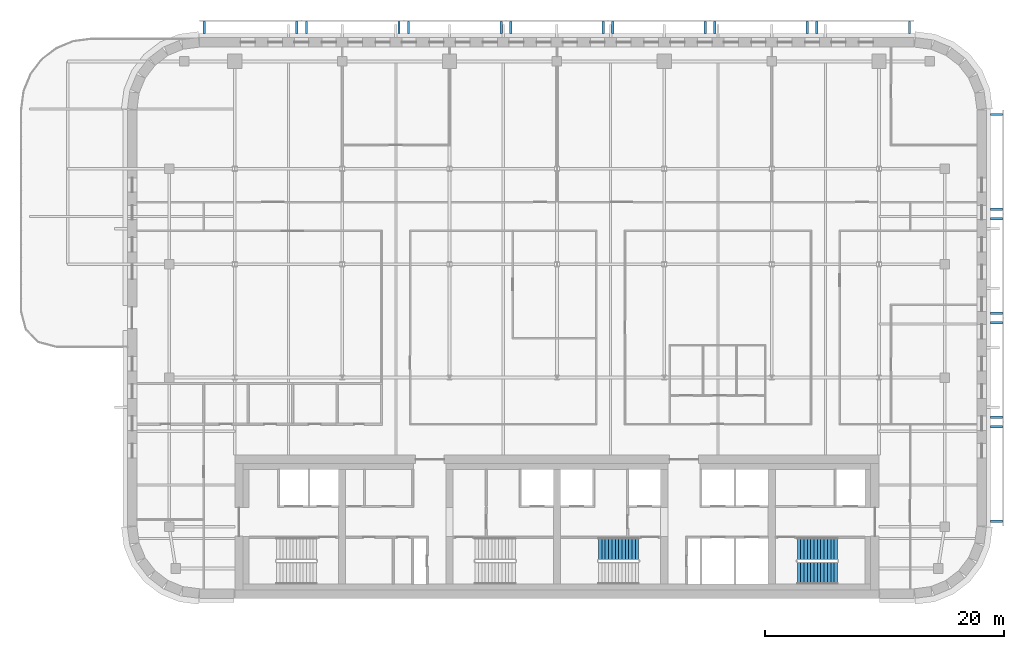
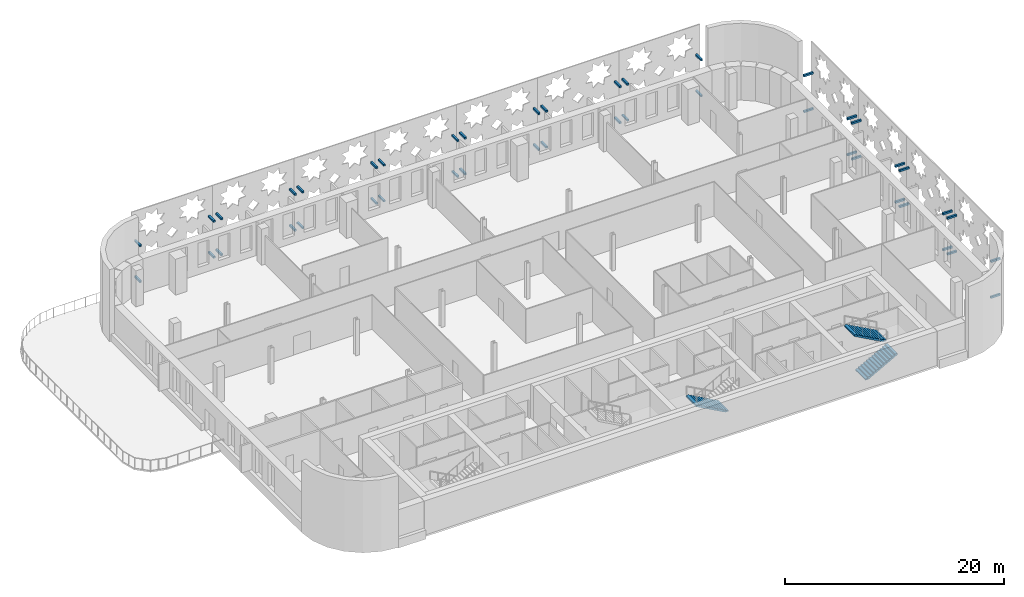
# One storey, part 12 of 17: 44 discrete accessories, 3 stair flights, 2 elements without a shape of their own.
"""IFC4 building model written with IfcOpenShell, lengths in metres."""

from ifc_helpers import new_model, si_unit, direction, frame, origin, origin_2d, place, context, subcontext, project, spatial, polyline, rectangle, outline, extrude, material, type_object, element, aggregate, save


model = new_model("IFC4")

# Units and contexts
model_context = context("Model", 3, precision=1e-05, world=origin(), true_north=direction((0.0, 1.0)))
body_context = subcontext(model_context, "Body", "Model", "MODEL_VIEW")
ifc_project = project(units=[si_unit("LENGTHUNIT", "METRE"), si_unit("AREAUNIT", "SQUARE_METRE"), si_unit("VOLUMEUNIT", "CUBIC_METRE"), si_unit("PLANEANGLEUNIT", "RADIAN"), si_unit("MASSUNIT", "GRAM", prefix="KILO")], contexts=[model_context])

# Site, building, storey
site_placement = place(None, origin())
site = spatial("IfcSite", under=ifc_project, at=site_placement, CompositionType="ELEMENT")
building_placement = place(site_placement, origin())
building = spatial("IfcBuilding", under=site, at=building_placement, Name="Zellij Exchange Tower", CompositionType="ELEMENT")
storey_placement = place(building_placement, frame((0.0, 0.0, 256.5)))
storey = spatial("IfcBuildingStorey", under=building, at=storey_placement, Name="L60", CompositionType="ELEMENT", Elevation=256.5)

# Stair, stair flight
ifc_material_1 = material(Name="Concrete C40/50", Category="concrete")
stair_type = type_object("IfcStairType", Name="CORE-ST exit stair 1850 wide", PredefinedType="HALF_TURN_STAIR", material=ifc_material_1)
stair_1_placement = place(storey_placement, origin())
stair_1 = element("IfcStair", 1, at=stair_1_placement, inside=storey, type_object=stair_type, Name="L60 exit stair ST3", PredefinedType="HALF_TURN_STAIR")
stair_flight_type = type_object("IfcStairFlightType", Name="CORE-SF flight 1850 riser 153.8 going 280", PredefinedType="STRAIGHT", material=ifc_material_1)
stair_flight_1_placement = place(storey_placement, frame((6.85009765625, -9.875, 0.0), z_axis=(0.0, 0.0, 1.0), x_axis=(-1.0, 0.0, 0.0)))
stair_flight_1 = element("IfcStairFlight", 2, at=stair_flight_1_placement, type_object=stair_flight_type, Name="ST3 flight 1", NumberOfRisers=13, NumberOfTreads=12, PredefinedType="STRAIGHT", RiserHeight=0.153846154, TreadLength=0.28, context=body_context, shape_type="SweptSolid", body=[
    extrude(outline(polyline([(0.0, 0.0), (0.0, 0.15380859375), (0.280029296875, 0.15380859375), (0.280029296875, 0.3076171875), (0.56005859375, 0.3076171875), (0.56005859375, 0.46142578125), (0.840087890625, 0.46142578125), (0.840087890625, 0.615478515625), (1.1201171875, 0.615478515625), (1.1201171875, 0.769287109375), (1.39990234375, 0.769287109375), (1.39990234375, 0.923095703125), (1.679931640625, 0.923095703125), (1.679931640625, 1.076904296875), (1.9599609375, 1.076904296875), (1.9599609375, 1.230712890625), (2.239990234375, 1.230712890625), (2.239990234375, 1.384521484375), (2.52001953125, 1.384521484375), (2.52001953125, 1.53857421875), (2.800048828125, 1.53857421875), (2.800048828125, 1.6923828125), (3.080078125, 1.6923828125), (3.080078125, 1.84619140625), (3.360107421875, 1.84619140625), (3.360107421875, 2.0), (3.360107421875, 1.675048828125), (0.311279296875, 0.0), (0.0, 0.0)])), frame((0.0, 0.925048828125, 0.0), z_axis=(0.0, -1.0, 0.0), x_axis=(1.0, 0.0, 0.0)), (0.0, 0.0, 1.0), 1.85009765625),
])
aggregate(stair_1, [stair_flight_1])

# Stair, stair flights
stair_2_placement = place(storey_placement, origin())
stair_2 = element("IfcStair", 3, at=stair_2_placement, inside=storey, type_object=stair_type, Name="L60 exit stair ST4", PredefinedType="HALF_TURN_STAIR")
stair_flight_2_placement = place(storey_placement, frame((20.14990234375, -11.875, 0.0), z_axis=(0.0, 0.0, 1.0), x_axis=(1.0, 0.0, 0.0)))
stair_flight_2 = element("IfcStairFlight", 4, at=stair_flight_2_placement, type_object=stair_flight_type, Name="ST4 flight 1", NumberOfRisers=13, NumberOfTreads=12, PredefinedType="STRAIGHT", RiserHeight=0.153846154, TreadLength=0.28, context=body_context, shape_type="SweptSolid", body=[
    extrude(outline(polyline([(0.0, 0.0), (0.0, 0.15380859375), (0.280029296875, 0.15380859375), (0.280029296875, 0.3076171875), (0.56005859375, 0.3076171875), (0.56005859375, 0.46142578125), (0.840087890625, 0.46142578125), (0.840087890625, 0.615478515625), (1.1201171875, 0.615478515625), (1.1201171875, 0.769287109375), (1.39990234375, 0.769287109375), (1.39990234375, 0.923095703125), (1.679931640625, 0.923095703125), (1.679931640625, 1.076904296875), (1.9599609375, 1.076904296875), (1.9599609375, 1.230712890625), (2.239990234375, 1.230712890625), (2.239990234375, 1.384521484375), (2.52001953125, 1.384521484375), (2.52001953125, 1.53857421875), (2.800048828125, 1.53857421875), (2.800048828125, 1.6923828125), (3.080078125, 1.6923828125), (3.080078125, 1.84619140625), (3.360107421875, 1.84619140625), (3.360107421875, 2.0), (3.360107421875, 1.675048828125), (0.311279296875, 0.0), (0.0, 0.0)])), frame((0.0, 0.925048828125, 0.0), z_axis=(0.0, -1.0, 0.0), x_axis=(1.0, 0.0, 0.0)), (0.0, 0.0, 1.0), 1.85009765625),
])
stair_flight_3_placement = place(storey_placement, frame((23.510009765625, -9.875, 2.0), z_axis=(0.0, 0.0, 1.0), x_axis=(-1.0, 0.0, 0.0)))
stair_flight_3 = element("IfcStairFlight", 5, at=stair_flight_3_placement, type_object=stair_flight_type, Name="ST4 flight 2", NumberOfRisers=13, NumberOfTreads=12, PredefinedType="STRAIGHT", RiserHeight=0.153846154, TreadLength=0.28, context=body_context, shape_type="SweptSolid", body=[
    extrude(outline(polyline([(0.0, 0.0), (0.0, 0.15380859375), (0.280029296875, 0.15380859375), (0.280029296875, 0.3076171875), (0.56005859375, 0.3076171875), (0.56005859375, 0.46142578125), (0.840087890625, 0.46142578125), (0.840087890625, 0.615478515625), (1.1201171875, 0.615478515625), (1.1201171875, 0.769287109375), (1.39990234375, 0.769287109375), (1.39990234375, 0.923095703125), (1.679931640625, 0.923095703125), (1.679931640625, 1.076904296875), (1.9599609375, 1.076904296875), (1.9599609375, 1.230712890625), (2.239990234375, 1.230712890625), (2.239990234375, 1.384521484375), (2.52001953125, 1.384521484375), (2.52001953125, 1.53857421875), (2.800048828125, 1.53857421875), (2.800048828125, 1.6923828125), (3.080078125, 1.6923828125), (3.080078125, 1.84619140625), (3.360107421875, 1.84619140625), (3.360107421875, 2.0), (3.360107421875, 1.675048828125), (0.311279296875, 0.0), (0.0, 0.0)])), frame((0.0, 0.925048828125, 0.0), z_axis=(0.0, -1.0, 0.0), x_axis=(1.0, 0.0, 0.0)), (0.0, 0.0, 1.0), 1.85009765625),
])
aggregate(stair_2, [stair_flight_2, stair_flight_3])

# Discrete accessories
ifc_material_2 = material(Name="Stainless steel", Category="steel")
discrete_accessory_type = type_object("IfcDiscreteAccessoryType", Name="ENV-BR1 Stone panel bracket 200", PredefinedType="USERDEFINED", material=ifc_material_2)
for number, where, z_axis, x_axis, name in (
    (6, (29.547607421875, 33.85009765625, 0.2998046875), (0.0, 0.0, 1.0), (-1.0, 0.0, 0.0), "Panel bracket"),
    (7, (21.791015625, 33.85009765625, 0.2998046875), (0.0, 0.0, 1.0), (-1.0, 0.0, 0.0), "Panel bracket"),
    (8, (29.547607421875, 33.85009765625, 4.2998046875), (0.0, 0.0, 1.0), (-1.0, 0.0, 0.0), "Panel bracket"),
    (9, (21.791015625, 33.85009765625, 4.2998046875), (0.0, 0.0, 1.0), (-1.0, 0.0, 0.0), "Panel bracket"),
    (10, (20.9912109375, 33.85009765625, 0.2998046875), (0.0, 0.0, 1.0), (-1.0, 0.0, 0.0), "Panel bracket"),
    (11, (13.234619140625, 33.85009765625, 0.2998046875), (0.0, 0.0, 1.0), (-1.0, 0.0, 0.0), "Panel bracket"),
    (12, (20.9912109375, 33.85009765625, 4.2998046875), (0.0, 0.0, 1.0), (-1.0, 0.0, 0.0), "Panel bracket"),
    (13, (13.234619140625, 33.85009765625, 4.2998046875), (0.0, 0.0, 1.0), (-1.0, 0.0, 0.0), "Panel bracket"),
    (14, (12.434814453125, 33.85009765625, 0.2998046875), (0.0, 0.0, 1.0), (-1.0, 0.0, 0.0), "Panel bracket"),
    (15, (4.67822265625, 33.85009765625, 0.2998046875), (0.0, 0.0, 1.0), (-1.0, 0.0, 0.0), "Panel bracket"),
    (16, (12.434814453125, 33.85009765625, 4.2998046875), (0.0, 0.0, 1.0), (-1.0, 0.0, 0.0), "Panel bracket"),
    (17, (4.67822265625, 33.85009765625, 4.2998046875), (0.0, 0.0, 1.0), (-1.0, 0.0, 0.0), "Panel bracket"),
    (18, (3.878173828125, 33.85009765625, 0.2998046875), (0.0, 0.0, 1.0), (-1.0, 0.0, 0.0), "Panel bracket"),
    (19, (-3.878173828125, 33.85009765625, 0.2998046875), (0.0, 0.0, 1.0), (-1.0, 0.0, 0.0), "Panel bracket"),
    (20, (3.878173828125, 33.85009765625, 4.2998046875), (0.0, 0.0, 1.0), (-1.0, 0.0, 0.0), "Panel bracket"),
    (21, (-3.878173828125, 33.85009765625, 4.2998046875), (0.0, 0.0, 1.0), (-1.0, 0.0, 0.0), "Panel bracket"),
    (22, (-4.67822265625, 33.85009765625, 0.2998046875), (0.0, 0.0, 1.0), (-1.0, 0.0, 0.0), "Panel bracket"),
    (23, (-12.434814453125, 33.85009765625, 0.2998046875), (0.0, 0.0, 1.0), (-1.0, 0.0, 0.0), "Panel bracket"),
    (24, (-4.67822265625, 33.85009765625, 4.2998046875), (0.0, 0.0, 1.0), (-1.0, 0.0, 0.0), "Panel bracket"),
    (25, (-12.434814453125, 33.85009765625, 4.2998046875), (0.0, 0.0, 1.0), (-1.0, 0.0, 0.0), "Panel bracket"),
    (26, (-13.234619140625, 33.85009765625, 0.2998046875), (0.0, 0.0, 1.0), (-1.0, 0.0, 0.0), "Panel bracket"),
    (27, (-20.9912109375, 33.85009765625, 0.2998046875), (0.0, 0.0, 1.0), (-1.0, 0.0, 0.0), "Panel bracket"),
    (28, (-13.234619140625, 33.85009765625, 4.2998046875), (0.0, 0.0, 1.0), (-1.0, 0.0, 0.0), "Panel bracket"),
    (29, (-20.9912109375, 33.85009765625, 4.2998046875), (0.0, 0.0, 1.0), (-1.0, 0.0, 0.0), "Panel bracket"),
    (30, (-21.791015625, 33.85009765625, 0.2998046875), (0.0, 0.0, 1.0), (-1.0, 0.0, 0.0), "Panel bracket"),
    (31, (-29.547607421875, 33.85009765625, 0.2998046875), (0.0, 0.0, 1.0), (-1.0, 0.0, 0.0), "Panel bracket"),
    (32, (-21.791015625, 33.85009765625, 4.2998046875), (0.0, 0.0, 1.0), (-1.0, 0.0, 0.0), "Panel bracket"),
    (33, (-29.547607421875, 33.85009765625, 4.2998046875), (0.0, 0.0, 1.0), (-1.0, 0.0, 0.0), "Panel bracket"),
    (34, (36.85009765625, -7.547607421875, 0.2998046875), (0.0, 0.0, 1.0), (0.0, 1.0, 0.0), "Panel bracket"),
    (35, (36.85009765625, 0.376220703125, 0.2998046875), (0.0, 0.0, 1.0), (0.0, 1.0, 0.0), "Panel bracket"),
    (36, (36.85009765625, -7.547607421875, 4.2998046875), (0.0, 0.0, 1.0), (0.0, 1.0, 0.0), "Panel bracket"),
    (37, (36.85009765625, 0.376220703125, 4.2998046875), (0.0, 0.0, 1.0), (0.0, 1.0, 0.0), "Panel bracket"),
    (38, (36.85009765625, 1.17626953125, 0.2998046875), (0.0, 0.0, 1.0), (0.0, 1.0, 0.0), "Panel bracket"),
    (39, (36.85009765625, 9.10009765625, 0.2998046875), (0.0, 0.0, 1.0), (0.0, 1.0, 0.0), "Panel bracket"),
    (40, (36.85009765625, 1.17626953125, 4.2998046875), (0.0, 0.0, 1.0), (0.0, 1.0, 0.0), "Panel bracket"),
    (41, (36.85009765625, 9.10009765625, 4.2998046875), (0.0, 0.0, 1.0), (0.0, 1.0, 0.0), "Panel bracket"),
    (42, (36.85009765625, 9.89990234375, 0.2998046875), (0.0, 0.0, 1.0), (0.0, 1.0, 0.0), "Panel bracket"),
    (43, (36.85009765625, 17.82373046875, 0.2998046875), (0.0, 0.0, 1.0), (0.0, 1.0, 0.0), "Panel bracket"),
    (44, (36.85009765625, 9.89990234375, 4.2998046875), (0.0, 0.0, 1.0), (0.0, 1.0, 0.0), "Panel bracket"),
    (45, (36.85009765625, 17.82373046875, 4.2998046875), (0.0, 0.0, 1.0), (0.0, 1.0, 0.0), "Panel bracket"),
    (46, (36.85009765625, 18.623779296875, 0.2998046875), (0.0, 0.0, 1.0), (0.0, 1.0, 0.0), "Panel bracket"),
    (47, (36.85009765625, 26.547607421875, 0.2998046875), (0.0, 0.0, 1.0), (0.0, 1.0, 0.0), "Panel bracket"),
    (48, (36.85009765625, 18.623779296875, 4.2998046875), (0.0, 0.0, 1.0), (0.0, 1.0, 0.0), "Panel bracket"),
    (49, (36.85009765625, 26.547607421875, 4.2998046875), (0.0, 0.0, 1.0), (0.0, 1.0, 0.0), "Panel bracket"),
):
    element("IfcDiscreteAccessory", number, at=place(storey_placement, frame(where, z_axis=z_axis, x_axis=x_axis)), inside=storey, type_object=discrete_accessory_type, Name=name, ObjectType="BRACKET", PredefinedType="USERDEFINED", context=body_context, shape_type="SweptSolid", body=[
        extrude(rectangle(XDim=0.199951171875, YDim=1.0, at=origin_2d()), origin(), (0.0, 0.0, 1.0), 0.199951171875),
    ])

save(model, "model.ifc")
